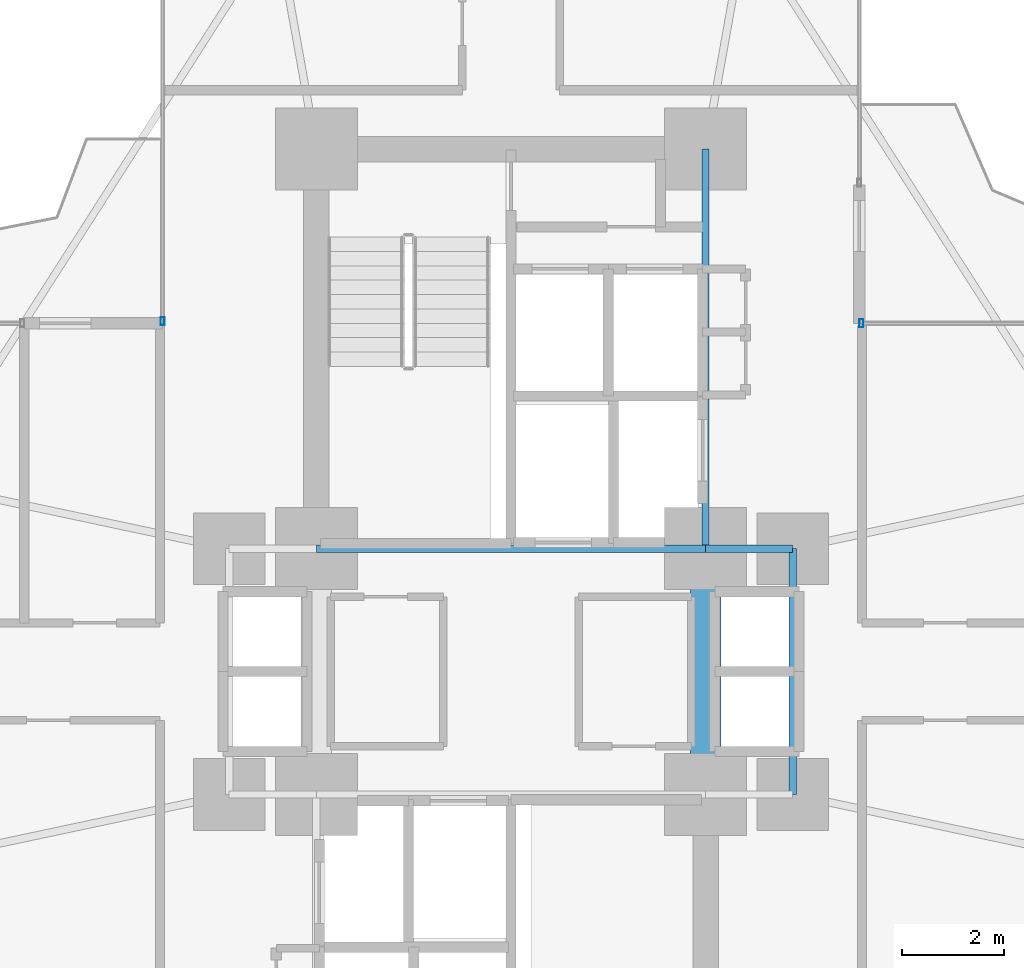
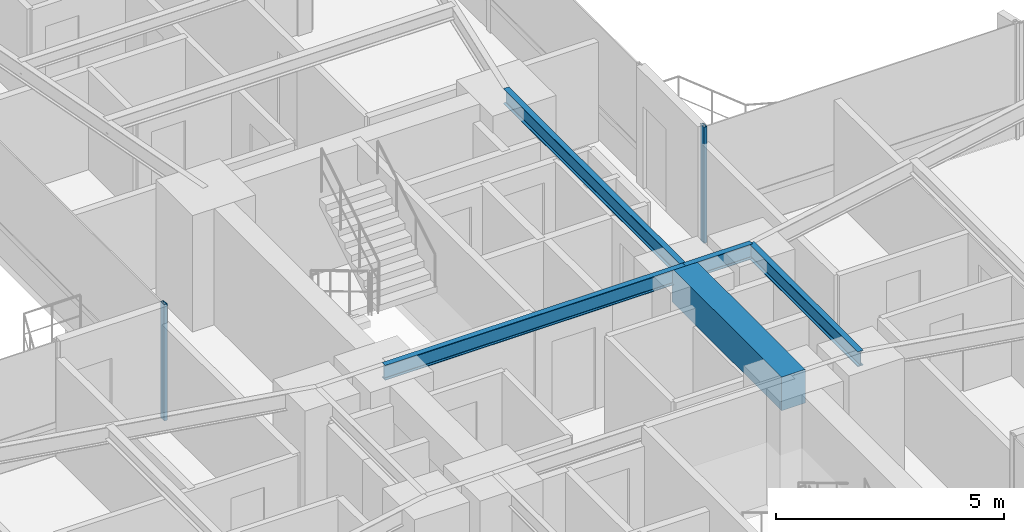
# One storey, part 12 of 26: 5 beams, 2 members, 2 elements without a shape of their own.
"""IFC4 building model written with IfcOpenShell, lengths in metres."""

from ifc_helpers import new_model, si_unit, direction, frame, origin, origin_2d, place, context, subcontext, project, spatial, rectangle, hollow_rectangle, i_section, extrude, source, transform, mapped, material, material_profile, profile_set, type_object, element, aggregate, save


model = new_model("IFC4")

# Units and contexts
model_context = context("Model", 3, precision=1e-05, world=origin(), true_north=direction((0.0, 1.0)))
body_context = subcontext(model_context, "Body", "Model", "MODEL_VIEW")
ifc_project = project(units=[si_unit("LENGTHUNIT", "METRE"), si_unit("AREAUNIT", "SQUARE_METRE"), si_unit("VOLUMEUNIT", "CUBIC_METRE"), si_unit("PLANEANGLEUNIT", "RADIAN"), si_unit("MASSUNIT", "GRAM", prefix="KILO")], contexts=[model_context])

# Site, building, storey
site_placement = place(None, origin())
site = spatial("IfcSite", under=ifc_project, at=site_placement, CompositionType="ELEMENT")
building_placement = place(site_placement, origin())
building = spatial("IfcBuilding", under=site, at=building_placement, Name="Sahyath Konkavel Grand Hotel", CompositionType="ELEMENT")
storey_placement = place(building_placement, frame((0.0, 0.0, 29.800048828125)))
storey = spatial("IfcBuildingStorey", under=building, at=storey_placement, Name="L07", CompositionType="ELEMENT", Elevation=29.800048828125)

# Beams
ifc_material_1 = material(Name="Concrete C70/85", Category="concrete")
ifc_material_profile_1 = material_profile(ifc_material_1, rectangle(XDim=0.60009765625, YDim=0.89990234375, at=origin_2d()), Name="RC 600x900")
ifc_profile_set_1 = profile_set([ifc_material_profile_1], Name="Concrete C70/85")
beam_type_1 = type_object("IfcBeamType", Name="BM-CB600x900", PredefinedType="LINTEL", material=ifc_profile_set_1)
shared_shape_1 = source(origin(), body_context, "Body", "SweptSolid", [
    extrude(rectangle(XDim=0.60009765625, YDim=0.89990234375, at=origin_2d()), origin(), (0.0, 0.0, 1.0), 4.7998046875),
])
beam_1_placement = place(storey_placement, frame((3.800048828125, -2.39990234375, 2.659912109375), z_axis=(0.0, 1.0, 0.0), x_axis=(-1.0, 0.0, 0.0)))
element("IfcBeam", 1, at=beam_1_placement, inside=storey, type_object=beam_type_1, Name="L07 Split-Core Coupling Beam East", PredefinedType="LINTEL", context=body_context, shape_type="MappedRepresentation", body=[
    mapped(shared_shape_1, transform((0.0, 0.0, 0.0), scale=1.0)),
])
ifc_material_2 = material(Name="Steel E350", Category="steel")
ifc_material_profile_2 = material_profile(ifc_material_2, i_section(OverallWidth=0.139892578125, OverallDepth=0.39990234375, WebThickness=0.0087890625, FlangeThickness=0.01611328125, FilletRadius=0.013916015625, at=origin_2d()), Name="ISMB 400")
ifc_profile_set_2 = profile_set([ifc_material_profile_2], Name="Steel E350")
beam_type_2 = type_object("IfcBeamType", Name="BM-ISMB400", PredefinedType="BEAM", material=ifc_profile_set_2)
shared_shape_2 = source(origin(), body_context, "Body", "SweptSolid", [
    extrude(i_section(OverallWidth=0.139892578125, OverallDepth=0.39990234375, WebThickness=0.0087890625, FlangeThickness=0.01611328125, FilletRadius=0.013916015625, at=origin_2d()), origin(), (0.0, 0.0, 1.0), 7.60009765625),
])
beam_2_placement = place(storey_placement, frame((-3.800048828125, 2.39990234375, 2.909912109375), z_axis=(1.0, 0.0, 0.0), x_axis=(0.0, 1.0, 0.0)))
element("IfcBeam", 2, at=beam_2_placement, inside=storey, type_object=beam_type_2, Name="str:bm:L07:NC-S", PredefinedType="BEAM", context=body_context, shape_type="MappedRepresentation", body=[
    mapped(shared_shape_2, transform((0.0, 0.0, 0.0), scale=1.0)),
])
shared_shape_3 = source(origin(), body_context, "Body", "SweptSolid", [
    extrude(i_section(OverallWidth=0.139892578125, OverallDepth=0.39990234375, WebThickness=0.0087890625, FlangeThickness=0.01611328125, FilletRadius=0.013916015625, at=origin_2d()), origin(), (0.0, 0.0, 1.0), 7.800048828125),
])
beam_3_placement = place(storey_placement, frame((3.800048828125, 2.39990234375, 2.909912109375), z_axis=(0.0, 1.0, 0.0), x_axis=(-1.0, 0.0, 0.0)))
element("IfcBeam", 3, at=beam_3_placement, inside=storey, type_object=beam_type_2, Name="str:bm:L07:NC-E", PredefinedType="BEAM", context=body_context, shape_type="MappedRepresentation", body=[
    mapped(shared_shape_3, transform((0.0, 0.0, 0.0), scale=1.0)),
])
shared_shape_4 = source(origin(), body_context, "Body", "SweptSolid", [
    extrude(i_section(OverallWidth=0.139892578125, OverallDepth=0.39990234375, WebThickness=0.0087890625, FlangeThickness=0.01611328125, FilletRadius=0.013916015625, at=origin_2d()), origin(), (0.0, 0.0, 1.0), 1.699951171875),
])
beam_4_placement = place(storey_placement, frame((3.800048828125, 2.39990234375, 2.909912109375), z_axis=(1.0, 0.0, 0.0), x_axis=(0.0, 1.0, 0.0)))
element("IfcBeam", 4, at=beam_4_placement, inside=storey, type_object=beam_type_2, Name="str:bm:L07:HB-NE", PredefinedType="BEAM", context=body_context, shape_type="MappedRepresentation", body=[
    mapped(shared_shape_4, transform((0.0, 0.0, 0.0), scale=1.0)),
])
shared_shape_5 = source(origin(), body_context, "Body", "SweptSolid", [
    extrude(i_section(OverallWidth=0.139892578125, OverallDepth=0.39990234375, WebThickness=0.0087890625, FlangeThickness=0.01611328125, FilletRadius=0.013916015625, at=origin_2d()), origin(), (0.0, 0.0, 1.0), 4.7998046875),
])
beam_5_placement = place(storey_placement, frame((5.5, -2.39990234375, 2.909912109375), z_axis=(0.0, 1.0, 0.0), x_axis=(-1.0, 0.0, 0.0)))
element("IfcBeam", 5, at=beam_5_placement, inside=storey, type_object=beam_type_2, Name="str:bm:L07:HB-E", PredefinedType="BEAM", context=body_context, shape_type="MappedRepresentation", body=[
    mapped(shared_shape_5, transform((0.0, 0.0, 0.0), scale=1.0)),
])

# Curtain wall, member
ifc_material_3 = material(Name="Anodised Bronze Aluminium & Low-E Glazing", Category="aluminium")
curtain_wall_type = type_object("IfcCurtainWallType", Name="CW-ZONE1", PredefinedType="NOTDEFINED", material=ifc_material_3)
curtain_wall_1_placement = place(storey_placement, origin())
curtain_wall_1 = element("IfcCurtainWall", 6, at=curtain_wall_1_placement, inside=storey, type_object=curtain_wall_type, Name="L07 Unitised Curtain Wall F7", PredefinedType="NOTDEFINED")
ifc_material_4 = material(Name="Anodised Bronze Aluminium", Category="aluminium")
ifc_material_profile_3 = material_profile(ifc_material_4, hollow_rectangle(XDim=0.080078125, YDim=0.159912109375, WallThickness=0.006103515625, at=origin_2d()), Name="RHS 160x80x6")
ifc_profile_set_3 = profile_set([ifc_material_profile_3], Name="Anodised Bronze Aluminium")
member_type = type_object("IfcMemberType", Name="CW-MUL-160", PredefinedType="MULLION", material=ifc_profile_set_3)
shared_shape_6 = source(origin(), body_context, "Body", "SweptSolid", [
    extrude(hollow_rectangle(XDim=0.080078125, YDim=0.159912109375, WallThickness=0.006103515625, at=origin_2d()), origin(), (0.0, 0.0, 1.0), 3.10986328125),
])
member_1_placement = place(storey_placement, frame((6.840087890625, 6.800048828125, 0.0), z_axis=(0.0, 0.0, 1.0), x_axis=(1.0, 0.0, 0.0)))
member_1 = element("IfcMember", 7, at=member_1_placement, type_object=member_type, Name="L07 Curtain Wall Mullion F7-2", PredefinedType="MULLION", context=body_context, shape_type="MappedRepresentation", body=[
    mapped(shared_shape_6, transform((0.0, 0.0, 0.0), scale=1.0)),
])
aggregate(curtain_wall_1, [member_1])

curtain_wall_2_placement = place(storey_placement, origin())
curtain_wall_2 = element("IfcCurtainWall", 8, at=curtain_wall_2_placement, inside=storey, type_object=curtain_wall_type, Name="L07 Unitised Curtain Wall F15", PredefinedType="NOTDEFINED")
member_2_placement = place(storey_placement, frame((-6.800048828125, 6.840087890625, 0.0), z_axis=(0.0, 0.0, 1.0), x_axis=(1.0, 0.0, 0.0)))
member_2 = element("IfcMember", 9, at=member_2_placement, type_object=member_type, Name="L07 Curtain Wall Mullion F15-2", PredefinedType="MULLION", context=body_context, shape_type="MappedRepresentation", body=[
    mapped(shared_shape_6, transform((0.0, 0.0, 0.0), scale=1.0)),
])
aggregate(curtain_wall_2, [member_2])

save(model, "model.ifc")
